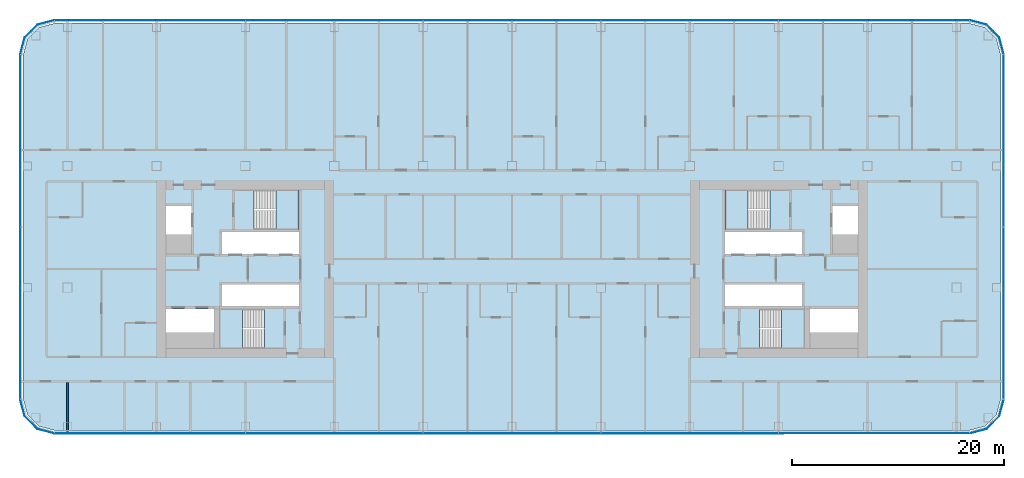
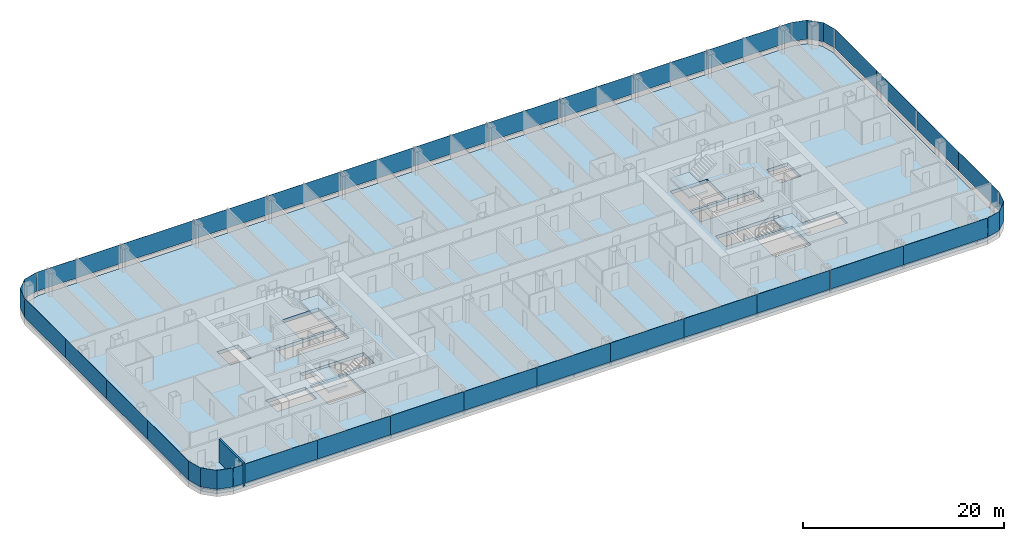
# One storey, part 14 of 29: 32 plates, 5 slabs, 1 wall, 12 elements without a shape of their own.
"""IFC4 building model written with IfcOpenShell, lengths in metres."""

from ifc_helpers import new_model, si_unit, direction, frame, frame_2d, origin, origin_2d, place, context, subcontext, project, spatial, polyline, rectangle, outline, extrude, material, layer, layer_set, type_object, element, aggregate, save


model = new_model("IFC4")

# Units and contexts
model_context = context("Model", 3, precision=1e-05, world=origin(), true_north=direction((0.0, 1.0)))
body_context = subcontext(model_context, "Body", "Model", "MODEL_VIEW")
ifc_project = project(units=[si_unit("LENGTHUNIT", "METRE"), si_unit("AREAUNIT", "SQUARE_METRE"), si_unit("VOLUMEUNIT", "CUBIC_METRE"), si_unit("PLANEANGLEUNIT", "RADIAN"), si_unit("MASSUNIT", "GRAM", prefix="KILO")], contexts=[model_context])

# Site, building, storey
site_placement = place(None, origin())
site = spatial("IfcSite", under=ifc_project, at=site_placement, CompositionType="ELEMENT")
building_placement = place(site_placement, origin())
building = spatial("IfcBuilding", under=site, at=building_placement, Name="Hakoniwa Tower and Hamabe Station Hall", CompositionType="ELEMENT")
storey_placement = place(building_placement, frame((0.0, 0.0, 104.199951171875)))
storey = spatial("IfcBuildingStorey", under=building, at=storey_placement, Name="L29", CompositionType="ELEMENT", Elevation=104.199951171875)

# Stair, slab
ifc_material_1 = material(Name="Concrete C40", Category="concrete")
stair_type = type_object("IfcStairType", Name="ESCAPE STAIR 1800", PredefinedType="HALF_TURN_STAIR", material=ifc_material_1)
stair_1_placement = place(storey_placement, origin())
stair_1 = element("IfcStair", 1, at=stair_1_placement, inside=storey, type_object=stair_type, Name="Escape stair ST-1 L29", PredefinedType="HALF_TURN_STAIR")
ifc_material_2 = material(Name="Concrete C40", Category="concrete")
ifc_layer_1 = layer(ifc_material_2, 0.25)
ifc_layer_set_1 = layer_set([ifc_layer_1], Name="CORE STAIR LANDING 250")
slab_type_1 = type_object("IfcSlabType", Name="CORE STAIR LANDING 250", PredefinedType="LANDING", material=ifc_layer_set_1)
slab_1_placement = place(storey_placement, frame((0.0, 0.0, 1.35009765625)))
slab_1 = element("IfcSlab", 2, at=slab_1_placement, type_object=slab_type_1, Name="ST-1 landing 1", PredefinedType="LANDING", context=body_context, shape_type="SweptSolid", body=[
    extrude(outline(polyline([(-22.320068359375, 3.75), (-20.14990234375, 3.75), (-20.14990234375, 7.5), (-22.320068359375, 7.5), (-22.320068359375, 3.75)])), origin(), (0.0, 0.0, 1.0), 0.25),
])
aggregate(stair_1, [slab_1])

stair_2_placement = place(storey_placement, origin())
stair_2 = element("IfcStair", 3, at=stair_2_placement, inside=storey, type_object=stair_type, Name="Escape stair ST-2 L29", PredefinedType="HALF_TURN_STAIR")
slab_2_placement = place(storey_placement, frame((0.0, 0.0, 1.35009765625)))
slab_2 = element("IfcSlab", 4, at=slab_2_placement, type_object=slab_type_1, Name="ST-2 landing 1", PredefinedType="LANDING", context=body_context, shape_type="SweptSolid", body=[
    extrude(outline(polyline([(-25.47998046875, -7.5), (-27.64990234375, -7.5), (-27.64990234375, -3.75), (-25.47998046875, -3.75), (-25.47998046875, -7.5)])), origin(), (0.0, 0.0, 1.0), 0.25),
])
aggregate(stair_2, [slab_2])

stair_3_placement = place(storey_placement, origin())
stair_3 = element("IfcStair", 5, at=stair_3_placement, inside=storey, type_object=stair_type, Name="Escape stair ST-3 L29", PredefinedType="HALF_TURN_STAIR")
slab_3_placement = place(storey_placement, frame((0.0, 0.0, 1.35009765625)))
slab_3 = element("IfcSlab", 6, at=slab_3_placement, type_object=slab_type_1, Name="ST-3 landing 1", PredefinedType="LANDING", context=body_context, shape_type="SweptSolid", body=[
    extrude(outline(polyline([(22.320068359375, 3.75), (20.14990234375, 3.75), (20.14990234375, 7.5), (22.320068359375, 7.5), (22.320068359375, 3.75)])), origin(), (0.0, 0.0, 1.0), 0.25),
])
aggregate(stair_3, [slab_3])

stair_4_placement = place(storey_placement, origin())
stair_4 = element("IfcStair", 7, at=stair_4_placement, inside=storey, type_object=stair_type, Name="Escape stair ST-4 L29", PredefinedType="HALF_TURN_STAIR")
slab_4_placement = place(storey_placement, frame((0.0, 0.0, 1.35009765625)))
slab_4 = element("IfcSlab", 8, at=slab_4_placement, type_object=slab_type_1, Name="ST-4 landing 1", PredefinedType="LANDING", context=body_context, shape_type="SweptSolid", body=[
    extrude(outline(polyline([(25.47998046875, -7.5), (27.64990234375, -7.5), (27.64990234375, -3.75), (25.47998046875, -3.75), (25.47998046875, -7.5)])), origin(), (0.0, 0.0, 1.0), 0.25),
])
aggregate(stair_4, [slab_4])

# Curtain wall, plates
ifc_material_3 = material(Name="Dark low-e laminated glass", Category="glass")
ifc_layer_2 = layer(ifc_material_3, 0.199951171875)
ifc_layer_set_2 = layer_set([ifc_layer_2], Name="CW-1 UNITISED GUEST")
curtain_wall_type = type_object("IfcCurtainWallType", Name="CW-1 UNITISED GUEST", PredefinedType="NOTDEFINED", material=ifc_layer_set_2)
curtain_wall_1_placement = place(storey_placement, origin())
curtain_wall_1 = element("IfcCurtainWall", 9, at=curtain_wall_1_placement, inside=storey, type_object=curtain_wall_type, Name="CW-1 curtain wall", PredefinedType="NOTDEFINED")
ifc_material_4 = material(Name="Dark low-e laminated glass", Category="glass")
ifc_layer_3 = layer(ifc_material_4, 0.028076171875)
ifc_layer_set_3 = layer_set([ifc_layer_3], Name="CW-1 GLASS UNIT")
plate_type = type_object("IfcPlateType", Name="CW-1 GLASS UNIT", PredefinedType="CURTAIN_PANEL", material=ifc_layer_set_3)
plate_1_placement = place(storey_placement, frame((46.486083984375, -8.217041015625, 0.35009765625), z_axis=(0.0, 0.0, 1.0), x_axis=(0.0, 1.0, 0.0)))
plate_1 = element("IfcPlate", 10, at=plate_1_placement, type_object=plate_type, Name="CW-1 glass unit", PredefinedType="CURTAIN_PANEL", context=body_context, shape_type="SweptSolid", body=[
    extrude(rectangle(XDim=8.124755859375, YDim=0.028076171875, at=origin_2d()), origin(), (0.0, 0.0, 1.0), 2.300048828125),
])
plate_2_placement = place(storey_placement, frame((46.486083984375, -0.072265625, 0.35009765625), z_axis=(0.0, 0.0, 1.0), x_axis=(0.0, 1.0, 0.0)))
plate_2 = element("IfcPlate", 11, at=plate_2_placement, type_object=plate_type, Name="CW-1 glass unit", PredefinedType="CURTAIN_PANEL", context=body_context, shape_type="SweptSolid", body=[
    extrude(rectangle(XDim=8.124755859375, YDim=0.028076171875, at=origin_2d()), origin(), (0.0, 0.0, 1.0), 2.300048828125),
])
plate_3_placement = place(storey_placement, frame((46.486083984375, 8.072265625, 0.35009765625), z_axis=(0.0, 0.0, 1.0), x_axis=(0.0, 1.0, 0.0)))
plate_3 = element("IfcPlate", 12, at=plate_3_placement, type_object=plate_type, Name="CW-1 glass unit", PredefinedType="CURTAIN_PANEL", context=body_context, shape_type="SweptSolid", body=[
    extrude(rectangle(XDim=8.124755859375, YDim=0.028076171875, at=origin_2d()), origin(), (0.0, 0.0, 1.0), 2.300048828125),
])
plate_4_placement = place(storey_placement, frame((46.486083984375, 16.217041015625, 0.35009765625), z_axis=(0.0, 0.0, 1.0), x_axis=(0.0, 1.0, 0.0)))
plate_4 = element("IfcPlate", 13, at=plate_4_placement, type_object=plate_type, Name="CW-1 glass unit", PredefinedType="CURTAIN_PANEL", context=body_context, shape_type="SweptSolid", body=[
    extrude(rectangle(XDim=8.124755859375, YDim=0.028076171875, at=origin_2d()), origin(), (0.0, 0.0, 1.0), 2.300048828125),
])
aggregate(curtain_wall_1, [plate_1, plate_2, plate_3, plate_4])

# Curtain wall, plate
curtain_wall_2_placement = place(storey_placement, origin())
curtain_wall_2 = element("IfcCurtainWall", 14, at=curtain_wall_2_placement, inside=storey, type_object=curtain_wall_type, Name="CW-1 curtain wall", PredefinedType="NOTDEFINED")
plate_5_placement = place(storey_placement, frame((0.0, 0.0, 0.35009765625)))
plate_5 = element("IfcPlate", 15, at=plate_5_placement, type_object=plate_type, Name="CW-1 curved corner unit", PredefinedType="CURTAIN_PANEL", context=body_context, shape_type="SweptSolid", body=[
    extrude(outline(polyline([(46.48974609375, 20.328125), (46.067138671875, 21.9052734375), (44.855224609375, 23.116943359375), (43.278076171875, 23.53955078125), (43.27099609375, 23.5126953125), (44.8408203125, 23.092041015625), (46.0419921875, 21.890869140625), (46.462646484375, 20.32080078125), (46.48974609375, 20.328125)])), origin(), (0.0, 0.0, 1.0), 2.300048828125),
])
aggregate(curtain_wall_2, [plate_5])

# Curtain wall, plates
curtain_wall_3_placement = place(storey_placement, origin())
curtain_wall_3 = element("IfcCurtainWall", 16, at=curtain_wall_3_placement, inside=storey, type_object=curtain_wall_type, Name="CW-1 curtain wall", PredefinedType="NOTDEFINED")
plate_6_placement = place(storey_placement, frame((38.419677734375, 23.535888671875, 0.35009765625), z_axis=(0.0, 0.0, 1.0), x_axis=(-1.0, 0.0, 0.0)))
plate_6 = element("IfcPlate", 17, at=plate_6_placement, type_object=plate_type, Name="CW-1 glass unit", PredefinedType="CURTAIN_PANEL", context=body_context, shape_type="SweptSolid", body=[
    extrude(rectangle(XDim=9.619384765625, YDim=0.028076171875, at=origin_2d()), origin(), (0.0, 0.0, 1.0), 2.300048828125),
])
plate_7_placement = place(storey_placement, frame((29.39990234375, 23.535888671875, 0.35009765625), z_axis=(0.0, 0.0, 1.0), x_axis=(-1.0, 0.0, 0.0)))
plate_7 = element("IfcPlate", 18, at=plate_7_placement, type_object=plate_type, Name="CW-1 glass unit", PredefinedType="CURTAIN_PANEL", context=body_context, shape_type="SweptSolid", body=[
    extrude(rectangle(XDim=8.3798828125, YDim=0.028076171875, at=origin_2d()), origin(), (0.0, 0.0, 1.0), 2.300048828125),
])
plate_8_placement = place(storey_placement, frame((21.0, 23.535888671875, 0.35009765625), z_axis=(0.0, 0.0, 1.0), x_axis=(-1.0, 0.0, 0.0)))
plate_8 = element("IfcPlate", 19, at=plate_8_placement, type_object=plate_type, Name="CW-1 glass unit", PredefinedType="CURTAIN_PANEL", context=body_context, shape_type="SweptSolid", body=[
    extrude(rectangle(XDim=8.3798828125, YDim=0.028076171875, at=origin_2d()), origin(), (0.0, 0.0, 1.0), 2.300048828125),
])
plate_9_placement = place(storey_placement, frame((12.60009765625, 23.535888671875, 0.35009765625), z_axis=(0.0, 0.0, 1.0), x_axis=(-1.0, 0.0, 0.0)))
plate_9 = element("IfcPlate", 20, at=plate_9_placement, type_object=plate_type, Name="CW-1 glass unit", PredefinedType="CURTAIN_PANEL", context=body_context, shape_type="SweptSolid", body=[
    extrude(rectangle(XDim=8.3798828125, YDim=0.028076171875, at=origin_2d()), origin(), (0.0, 0.0, 1.0), 2.300048828125),
])
plate_10_placement = place(storey_placement, frame((4.199951171875, 23.535888671875, 0.35009765625), z_axis=(0.0, 0.0, 1.0), x_axis=(-1.0, 0.0, 0.0)))
plate_10 = element("IfcPlate", 21, at=plate_10_placement, type_object=plate_type, Name="CW-1 glass unit", PredefinedType="CURTAIN_PANEL", context=body_context, shape_type="SweptSolid", body=[
    extrude(rectangle(XDim=8.3798828125, YDim=0.028076171875, at=origin_2d()), origin(), (0.0, 0.0, 1.0), 2.300048828125),
])
plate_11_placement = place(storey_placement, frame((-4.199951171875, 23.535888671875, 0.35009765625), z_axis=(0.0, 0.0, 1.0), x_axis=(-1.0, 0.0, 0.0)))
plate_11 = element("IfcPlate", 22, at=plate_11_placement, type_object=plate_type, Name="CW-1 glass unit", PredefinedType="CURTAIN_PANEL", context=body_context, shape_type="SweptSolid", body=[
    extrude(rectangle(XDim=8.3798828125, YDim=0.028076171875, at=origin_2d()), origin(), (0.0, 0.0, 1.0), 2.300048828125),
])
plate_12_placement = place(storey_placement, frame((-12.60009765625, 23.535888671875, 0.35009765625), z_axis=(0.0, 0.0, 1.0), x_axis=(-1.0, 0.0, 0.0)))
plate_12 = element("IfcPlate", 23, at=plate_12_placement, type_object=plate_type, Name="CW-1 glass unit", PredefinedType="CURTAIN_PANEL", context=body_context, shape_type="SweptSolid", body=[
    extrude(rectangle(XDim=8.3798828125, YDim=0.028076171875, at=origin_2d()), origin(), (0.0, 0.0, 1.0), 2.300048828125),
])
plate_13_placement = place(storey_placement, frame((-21.0, 23.535888671875, 0.35009765625), z_axis=(0.0, 0.0, 1.0), x_axis=(-1.0, 0.0, 0.0)))
plate_13 = element("IfcPlate", 24, at=plate_13_placement, type_object=plate_type, Name="CW-1 glass unit", PredefinedType="CURTAIN_PANEL", context=body_context, shape_type="SweptSolid", body=[
    extrude(rectangle(XDim=8.3798828125, YDim=0.028076171875, at=origin_2d()), origin(), (0.0, 0.0, 1.0), 2.300048828125),
])
plate_14_placement = place(storey_placement, frame((-29.39990234375, 23.535888671875, 0.35009765625), z_axis=(0.0, 0.0, 1.0), x_axis=(-1.0, 0.0, 0.0)))
plate_14 = element("IfcPlate", 25, at=plate_14_placement, type_object=plate_type, Name="CW-1 glass unit", PredefinedType="CURTAIN_PANEL", context=body_context, shape_type="SweptSolid", body=[
    extrude(rectangle(XDim=8.3798828125, YDim=0.028076171875, at=origin_2d()), origin(), (0.0, 0.0, 1.0), 2.300048828125),
])
plate_15_placement = place(storey_placement, frame((-38.419677734375, 23.535888671875, 0.35009765625), z_axis=(0.0, 0.0, 1.0), x_axis=(-1.0, 0.0, 0.0)))
plate_15 = element("IfcPlate", 26, at=plate_15_placement, type_object=plate_type, Name="CW-1 glass unit", PredefinedType="CURTAIN_PANEL", context=body_context, shape_type="SweptSolid", body=[
    extrude(rectangle(XDim=9.619384765625, YDim=0.028076171875, at=origin_2d()), origin(), (0.0, 0.0, 1.0), 2.300048828125),
])
aggregate(curtain_wall_3, [plate_6, plate_7, plate_8, plate_9, plate_10, plate_11, plate_12, plate_13, plate_14, plate_15])

# Curtain wall, plate
curtain_wall_4_placement = place(storey_placement, origin())
curtain_wall_4 = element("IfcCurtainWall", 27, at=curtain_wall_4_placement, inside=storey, type_object=curtain_wall_type, Name="CW-1 curtain wall", PredefinedType="NOTDEFINED")
plate_16_placement = place(storey_placement, frame((0.0, 0.0, 0.35009765625)))
plate_16 = element("IfcPlate", 28, at=plate_16_placement, type_object=plate_type, Name="CW-1 curved corner unit", PredefinedType="CURTAIN_PANEL", context=body_context, shape_type="SweptSolid", body=[
    extrude(outline(polyline([(-43.278076171875, 23.53955078125), (-44.855224609375, 23.116943359375), (-46.067138671875, 21.9052734375), (-46.48974609375, 20.328125), (-46.462646484375, 20.32080078125), (-46.0419921875, 21.890869140625), (-44.8408203125, 23.092041015625), (-43.27099609375, 23.5126953125), (-43.278076171875, 23.53955078125)])), origin(), (0.0, 0.0, 1.0), 2.300048828125),
])
aggregate(curtain_wall_4, [plate_16])

# Curtain wall, plates
curtain_wall_5_placement = place(storey_placement, origin())
curtain_wall_5 = element("IfcCurtainWall", 29, at=curtain_wall_5_placement, inside=storey, type_object=curtain_wall_type, Name="CW-1 curtain wall", PredefinedType="NOTDEFINED")
plate_17_placement = place(storey_placement, frame((-46.486083984375, 16.217041015625, 0.35009765625), z_axis=(0.0, 0.0, 1.0), x_axis=(0.0, -1.0, 0.0)))
plate_17 = element("IfcPlate", 30, at=plate_17_placement, type_object=plate_type, Name="CW-1 glass unit", PredefinedType="CURTAIN_PANEL", context=body_context, shape_type="SweptSolid", body=[
    extrude(rectangle(XDim=8.124755859375, YDim=0.028076171875, at=origin_2d()), origin(), (0.0, 0.0, 1.0), 2.300048828125),
])
plate_18_placement = place(storey_placement, frame((-46.486083984375, 8.072265625, 0.35009765625), z_axis=(0.0, 0.0, 1.0), x_axis=(0.0, -1.0, 0.0)))
plate_18 = element("IfcPlate", 31, at=plate_18_placement, type_object=plate_type, Name="CW-1 glass unit", PredefinedType="CURTAIN_PANEL", context=body_context, shape_type="SweptSolid", body=[
    extrude(rectangle(XDim=8.124755859375, YDim=0.028076171875, at=origin_2d()), origin(), (0.0, 0.0, 1.0), 2.300048828125),
])
plate_19_placement = place(storey_placement, frame((-46.486083984375, -0.072265625, 0.35009765625), z_axis=(0.0, 0.0, 1.0), x_axis=(0.0, -1.0, 0.0)))
plate_19 = element("IfcPlate", 32, at=plate_19_placement, type_object=plate_type, Name="CW-1 glass unit", PredefinedType="CURTAIN_PANEL", context=body_context, shape_type="SweptSolid", body=[
    extrude(rectangle(XDim=8.124755859375, YDim=0.028076171875, at=origin_2d()), origin(), (0.0, 0.0, 1.0), 2.300048828125),
])
plate_20_placement = place(storey_placement, frame((-46.486083984375, -8.217041015625, 0.35009765625), z_axis=(0.0, 0.0, 1.0), x_axis=(0.0, -1.0, 0.0)))
plate_20 = element("IfcPlate", 33, at=plate_20_placement, type_object=plate_type, Name="CW-1 glass unit", PredefinedType="CURTAIN_PANEL", context=body_context, shape_type="SweptSolid", body=[
    extrude(rectangle(XDim=8.124755859375, YDim=0.028076171875, at=origin_2d()), origin(), (0.0, 0.0, 1.0), 2.300048828125),
])
aggregate(curtain_wall_5, [plate_17, plate_18, plate_19, plate_20])

# Curtain wall, plate
curtain_wall_6_placement = place(storey_placement, origin())
curtain_wall_6 = element("IfcCurtainWall", 34, at=curtain_wall_6_placement, inside=storey, type_object=curtain_wall_type, Name="CW-1 curtain wall", PredefinedType="NOTDEFINED")
plate_21_placement = place(storey_placement, frame((0.0, 0.0, 0.35009765625)))
plate_21 = element("IfcPlate", 35, at=plate_21_placement, type_object=plate_type, Name="CW-1 curved corner unit", PredefinedType="CURTAIN_PANEL", context=body_context, shape_type="SweptSolid", body=[
    extrude(outline(polyline([(-46.48974609375, -12.328125), (-46.067138671875, -13.9052734375), (-44.855224609375, -15.116943359375), (-43.278076171875, -15.53955078125), (-43.27099609375, -15.5126953125), (-44.8408203125, -15.092041015625), (-46.0419921875, -13.890869140625), (-46.462646484375, -12.32080078125), (-46.48974609375, -12.328125)])), origin(), (0.0, 0.0, 1.0), 2.300048828125),
])
aggregate(curtain_wall_6, [plate_21])

# Curtain wall, plates
curtain_wall_7_placement = place(storey_placement, origin())
curtain_wall_7 = element("IfcCurtainWall", 36, at=curtain_wall_7_placement, inside=storey, type_object=curtain_wall_type, Name="CW-1 curtain wall", PredefinedType="NOTDEFINED")
plate_22_placement = place(storey_placement, frame((-38.419677734375, -15.535888671875, 0.35009765625), z_axis=(0.0, 0.0, 1.0), x_axis=(1.0, 0.0, 0.0)))
plate_22 = element("IfcPlate", 37, at=plate_22_placement, type_object=plate_type, Name="CW-1 glass unit", PredefinedType="CURTAIN_PANEL", context=body_context, shape_type="SweptSolid", body=[
    extrude(rectangle(XDim=9.619384765625, YDim=0.028076171875, at=origin_2d()), origin(), (0.0, 0.0, 1.0), 2.300048828125),
])
plate_23_placement = place(storey_placement, frame((-29.39990234375, -15.535888671875, 0.35009765625), z_axis=(0.0, 0.0, 1.0), x_axis=(1.0, 0.0, 0.0)))
plate_23 = element("IfcPlate", 38, at=plate_23_placement, type_object=plate_type, Name="CW-1 glass unit", PredefinedType="CURTAIN_PANEL", context=body_context, shape_type="SweptSolid", body=[
    extrude(rectangle(XDim=8.3798828125, YDim=0.028076171875, at=origin_2d()), origin(), (0.0, 0.0, 1.0), 2.300048828125),
])
plate_24_placement = place(storey_placement, frame((-21.0, -15.535888671875, 0.35009765625), z_axis=(0.0, 0.0, 1.0), x_axis=(1.0, 0.0, 0.0)))
plate_24 = element("IfcPlate", 39, at=plate_24_placement, type_object=plate_type, Name="CW-1 glass unit", PredefinedType="CURTAIN_PANEL", context=body_context, shape_type="SweptSolid", body=[
    extrude(rectangle(XDim=8.3798828125, YDim=0.028076171875, at=origin_2d()), origin(), (0.0, 0.0, 1.0), 2.300048828125),
])
plate_25_placement = place(storey_placement, frame((-12.60009765625, -15.535888671875, 0.35009765625), z_axis=(0.0, 0.0, 1.0), x_axis=(1.0, 0.0, 0.0)))
plate_25 = element("IfcPlate", 40, at=plate_25_placement, type_object=plate_type, Name="CW-1 glass unit", PredefinedType="CURTAIN_PANEL", context=body_context, shape_type="SweptSolid", body=[
    extrude(rectangle(XDim=8.3798828125, YDim=0.028076171875, at=origin_2d()), origin(), (0.0, 0.0, 1.0), 2.300048828125),
])
plate_26_placement = place(storey_placement, frame((-4.199951171875, -15.535888671875, 0.35009765625), z_axis=(0.0, 0.0, 1.0), x_axis=(1.0, 0.0, 0.0)))
plate_26 = element("IfcPlate", 41, at=plate_26_placement, type_object=plate_type, Name="CW-1 glass unit", PredefinedType="CURTAIN_PANEL", context=body_context, shape_type="SweptSolid", body=[
    extrude(rectangle(XDim=8.3798828125, YDim=0.028076171875, at=origin_2d()), origin(), (0.0, 0.0, 1.0), 2.300048828125),
])
plate_27_placement = place(storey_placement, frame((4.199951171875, -15.535888671875, 0.35009765625), z_axis=(0.0, 0.0, 1.0), x_axis=(1.0, 0.0, 0.0)))
plate_27 = element("IfcPlate", 42, at=plate_27_placement, type_object=plate_type, Name="CW-1 glass unit", PredefinedType="CURTAIN_PANEL", context=body_context, shape_type="SweptSolid", body=[
    extrude(rectangle(XDim=8.3798828125, YDim=0.028076171875, at=origin_2d()), origin(), (0.0, 0.0, 1.0), 2.300048828125),
])
plate_28_placement = place(storey_placement, frame((12.60009765625, -15.535888671875, 0.35009765625), z_axis=(0.0, 0.0, 1.0), x_axis=(1.0, 0.0, 0.0)))
plate_28 = element("IfcPlate", 43, at=plate_28_placement, type_object=plate_type, Name="CW-1 glass unit", PredefinedType="CURTAIN_PANEL", context=body_context, shape_type="SweptSolid", body=[
    extrude(rectangle(XDim=8.3798828125, YDim=0.028076171875, at=origin_2d()), origin(), (0.0, 0.0, 1.0), 2.300048828125),
])
plate_29_placement = place(storey_placement, frame((21.0, -15.535888671875, 0.35009765625), z_axis=(0.0, 0.0, 1.0), x_axis=(1.0, 0.0, 0.0)))
plate_29 = element("IfcPlate", 44, at=plate_29_placement, type_object=plate_type, Name="CW-1 glass unit", PredefinedType="CURTAIN_PANEL", context=body_context, shape_type="SweptSolid", body=[
    extrude(rectangle(XDim=8.3798828125, YDim=0.028076171875, at=origin_2d()), origin(), (0.0, 0.0, 1.0), 2.300048828125),
])
plate_30_placement = place(storey_placement, frame((29.39990234375, -15.535888671875, 0.35009765625), z_axis=(0.0, 0.0, 1.0), x_axis=(1.0, 0.0, 0.0)))
plate_30 = element("IfcPlate", 45, at=plate_30_placement, type_object=plate_type, Name="CW-1 glass unit", PredefinedType="CURTAIN_PANEL", context=body_context, shape_type="SweptSolid", body=[
    extrude(rectangle(XDim=8.3798828125, YDim=0.028076171875, at=origin_2d()), origin(), (0.0, 0.0, 1.0), 2.300048828125),
])
plate_31_placement = place(storey_placement, frame((38.419677734375, -15.535888671875, 0.35009765625), z_axis=(0.0, 0.0, 1.0), x_axis=(1.0, 0.0, 0.0)))
plate_31 = element("IfcPlate", 46, at=plate_31_placement, type_object=plate_type, Name="CW-1 glass unit", PredefinedType="CURTAIN_PANEL", context=body_context, shape_type="SweptSolid", body=[
    extrude(rectangle(XDim=9.619384765625, YDim=0.028076171875, at=origin_2d()), origin(), (0.0, 0.0, 1.0), 2.300048828125),
])
aggregate(curtain_wall_7, [plate_22, plate_23, plate_24, plate_25, plate_26, plate_27, plate_28, plate_29, plate_30, plate_31])

# Curtain wall, plate
curtain_wall_8_placement = place(storey_placement, origin())
curtain_wall_8 = element("IfcCurtainWall", 47, at=curtain_wall_8_placement, inside=storey, type_object=curtain_wall_type, Name="CW-1 curtain wall", PredefinedType="NOTDEFINED")
plate_32_placement = place(storey_placement, frame((0.0, 0.0, 0.35009765625)))
plate_32 = element("IfcPlate", 48, at=plate_32_placement, type_object=plate_type, Name="CW-1 curved corner unit", PredefinedType="CURTAIN_PANEL", context=body_context, shape_type="SweptSolid", body=[
    extrude(outline(polyline([(43.278076171875, -15.53955078125), (44.855224609375, -15.116943359375), (46.067138671875, -13.9052734375), (46.48974609375, -12.328125), (46.462646484375, -12.32080078125), (46.0419921875, -13.890869140625), (44.8408203125, -15.092041015625), (43.27099609375, -15.5126953125), (43.278076171875, -15.53955078125)])), origin(), (0.0, 0.0, 1.0), 2.300048828125),
])
aggregate(curtain_wall_8, [plate_32])

# Slab
ifc_material_5 = material(Name="Concrete C42", Category="concrete")
ifc_layer_4 = layer(ifc_material_5, 0.39990234375)
ifc_layer_set_4 = layer_set([ifc_layer_4], Name="PT FLAT PLATE 400")
slab_type_2 = type_object("IfcSlabType", Name="PT FLAT PLATE 400", PredefinedType="FLOOR", material=ifc_layer_set_4)
slab_5_placement = place(storey_placement, frame((0.0, 0.0, -0.39990234375)))
element("IfcSlab", 49, at=slab_5_placement, inside=storey, type_object=slab_type_2, Name="Floor slab L29", PredefinedType="FLOOR", context=body_context, shape_type="SweptSolid", body=[
    extrude(outline(polyline([(46.199951171875, -12.25), (46.199951171875, 20.25), (45.798095703125, 21.75), (44.699951171875, 22.84814453125), (43.199951171875, 23.25), (-43.199951171875, 23.25), (-44.699951171875, 22.84814453125), (-45.798095703125, 21.75), (-46.199951171875, 20.25), (-46.199951171875, -12.25), (-45.798095703125, -13.75), (-44.699951171875, -14.84814453125), (-43.199951171875, -15.25), (43.199951171875, -15.25), (44.699951171875, -14.84814453125), (45.798095703125, -13.75), (46.199951171875, -12.25)]), holes=[polyline([(-27.39990234375, 1.449951171875), (-27.39990234375, 3.5), (-20.14990234375, 3.5), (-20.14990234375, 1.449951171875), (-27.39990234375, 1.449951171875)]), polyline([(-27.39990234375, -3.5), (-27.39990234375, -1.449951171875), (-20.14990234375, -1.449951171875), (-20.14990234375, -3.5), (-27.39990234375, -3.5)]), polyline([(-32.699951171875, 3.300048828125), (-32.699951171875, 5.949951171875), (-30.300048828125, 5.949951171875), (-30.300048828125, 3.300048828125), (-32.699951171875, 3.300048828125)]), polyline([(-32.699951171875, -6.0), (-32.699951171875, -3.75), (-28.14990234375, -3.75), (-28.14990234375, -6.0), (-32.699951171875, -6.0)]), polyline([(-24.389892578125, 3.75), (-24.389892578125, 7.5), (-20.14990234375, 7.5), (-20.14990234375, 3.75), (-24.389892578125, 3.75)]), polyline([(-27.64990234375, -7.5), (-27.64990234375, -3.75), (-23.409912109375, -3.75), (-23.409912109375, -7.5), (-27.64990234375, -7.5)]), polyline([(20.14990234375, 1.449951171875), (20.14990234375, 3.5), (27.39990234375, 3.5), (27.39990234375, 1.449951171875), (20.14990234375, 1.449951171875)]), polyline([(20.14990234375, -3.5), (20.14990234375, -1.449951171875), (27.39990234375, -1.449951171875), (27.39990234375, -3.5), (20.14990234375, -3.5)]), polyline([(30.300048828125, 3.300048828125), (30.300048828125, 5.949951171875), (32.699951171875, 5.949951171875), (32.699951171875, 3.300048828125), (30.300048828125, 3.300048828125)]), polyline([(28.14990234375, -6.0), (28.14990234375, -3.75), (32.699951171875, -3.75), (32.699951171875, -6.0), (28.14990234375, -6.0)]), polyline([(20.14990234375, 3.75), (20.14990234375, 7.5), (24.389892578125, 7.5), (24.389892578125, 3.75), (20.14990234375, 3.75)]), polyline([(23.409912109375, -7.5), (23.409912109375, -3.75), (27.64990234375, -3.75), (27.64990234375, -7.5), (23.409912109375, -7.5)])]), origin(), (0.0, 0.0, 1.0), 0.39990234375),
])

# Wall
ifc_material_6 = material(Name="Fire-rated gypsum board partition", Category="gypsum")
ifc_layer_5 = layer(ifc_material_6, 0.199951171875)
ifc_layer_set_5 = layer_set([ifc_layer_5], Name="Party Wall 200")
wall_type = type_object("IfcWallType", Name="Party Wall 200", PredefinedType="PARTITIONING", material=ifc_layer_set_5)
wall_placement = place(storey_placement, frame((-42.0, -15.550048828125, 0.0), z_axis=(0.0, 0.0, 1.0), x_axis=(0.0, 1.0, 0.0)))
element("IfcWall", 50, at=wall_placement, inside=storey, type_object=wall_type, Name="GW-L29-030", PredefinedType="PARTITIONING", context=body_context, shape_type="SweptSolid", body=[
    extrude(rectangle(XDim=4.85009765625, YDim=0.199951171875, at=frame_2d((2.425048828125, 0.0))), origin(), (0.0, 0.0, 1.0), 2.800048828125),
])

save(model, "model.ifc")
